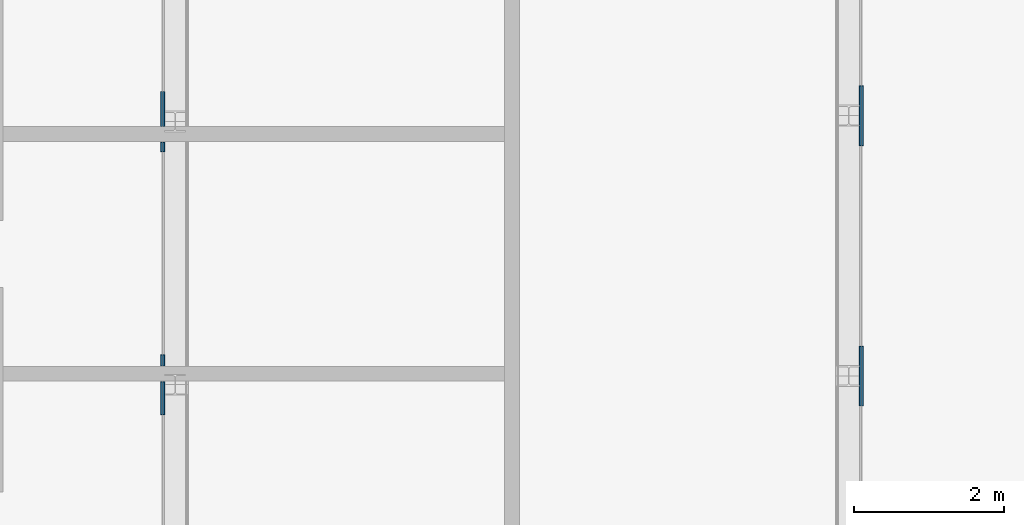
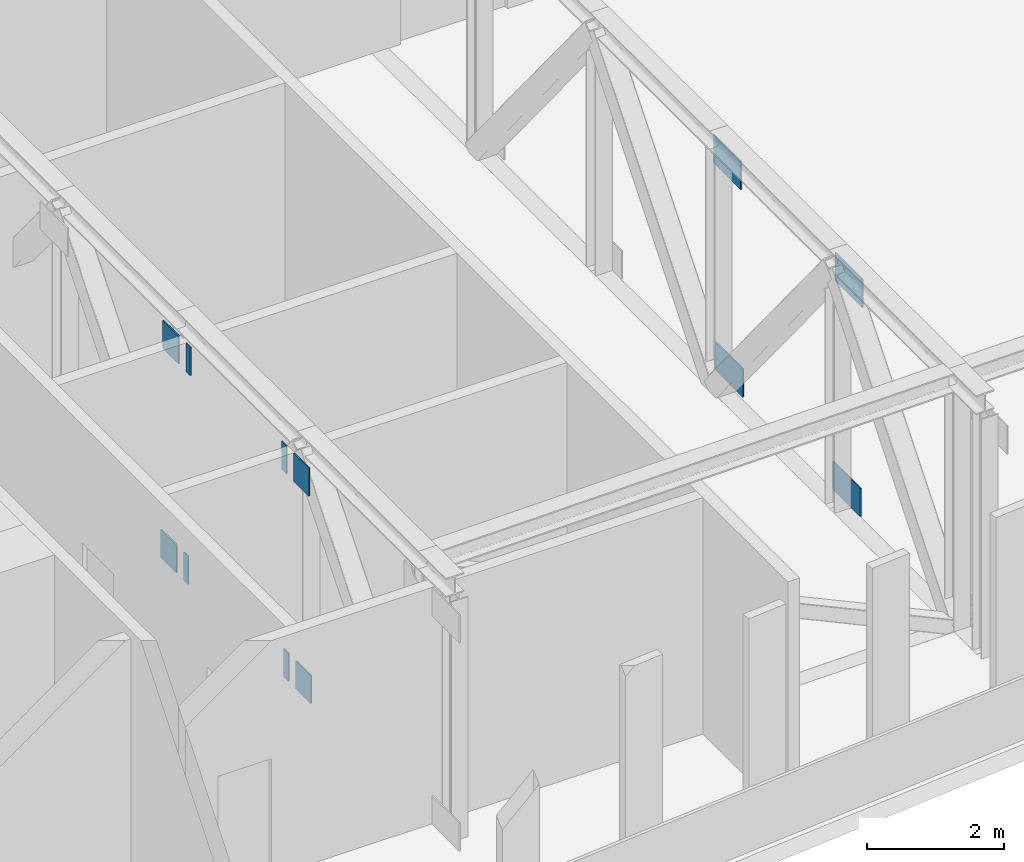
# One storey, part 13 of 26: 12 discrete accessories.
"""IFC4 building model written with IfcOpenShell, lengths in metres."""

import ifcopenshell
import ifcopenshell.guid

model = None  # the IFC model being written
_history = None  # IfcOwnerHistory: only IFC2X3 demands one
_inside = {}  # id of a spatial element -> (the spatial element, [elements in it])
_under = {}  # id of a project, library or spatial element -> (it, [spatial elements below it])
_declared = {}  # id of a project -> (the project, [libraries it declares])
_typed = {}  # id of a type object -> (the type object, [elements of that type])
_made_of = {}  # id of a material, layer set ... -> (it, [elements and type objects made of it])


def new_model(schema):
    """Start an empty IFC model of exactly this schema.

    Asked for "IFC4X3", IfcOpenShell would pick the latest addendum, in which some entities
    have other attributes; the version numbers below select the first issue.
    IFC2X3 requires an IfcOwnerHistory on every rooted entity: one is made here for all.
    """
    global model, _history
    if schema == "IFC4X3":
        model = ifcopenshell.file(schema_version=(4, 3, 0, 0))
    else:
        model = ifcopenshell.file(schema=schema)
    _inside.clear()
    _under.clear()
    _declared.clear()
    _typed.clear()
    _made_of.clear()
    _history = None
    if model.schema == "IFC2X3":
        org = make("IfcOrganization", Name="unknown")
        user = make(
            "IfcPersonAndOrganization",
            ThePerson=make("IfcPerson", FamilyName="unknown"),
            TheOrganization=org,
        )
        app = make(
            "IfcApplication",
            ApplicationDeveloper=org,
            Version="unknown",
            ApplicationFullName="unknown",
            ApplicationIdentifier="unknown",
        )
        _history = make(
            "IfcOwnerHistory",
            OwningUser=user,
            OwningApplication=app,
            ChangeAction="ADDED",
            CreationDate=0,
        )
    return model


def make(cls, **values):
    """One entity of the class cls with the attributes given. An attribute that is None is left unset."""
    return model.create_entity(
        cls, **{name: value for name, value in values.items() if value is not None}
    )


def rooted(cls, **values):
    """An entity with a GlobalId (a new one), such as an element, a storey or a relation."""
    return make(cls, GlobalId=ifcopenshell.guid.new(), OwnerHistory=_history, **values)


def si_unit(unit_type, name, prefix=None):
    """IfcSIUnit, for example si_unit("LENGTHUNIT", "METRE", prefix="MILLI")."""
    return make("IfcSIUnit", UnitType=unit_type, Prefix=prefix, Name=name)


def assignment(units):
    """IfcUnitAssignment: the units of a project."""
    return None if units is None else make("IfcUnitAssignment", Units=units)


def point(xyz):
    """IfcCartesianPoint."""
    return None if xyz is None else make("IfcCartesianPoint", Coordinates=xyz)


def direction(xyz):
    """IfcDirection."""
    return None if xyz is None else make("IfcDirection", DirectionRatios=xyz)


def frame(location, z_axis=None, x_axis=None):
    """IfcAxis2Placement3D, a coordinate frame: its origin and axes. An axis left out is left unset."""
    return make(
        "IfcAxis2Placement3D",
        Location=point(location),
        Axis=direction(z_axis),
        RefDirection=direction(x_axis),
    )


def origin():
    """The frame at (0, 0, 0) with its axes left unset."""
    return frame((0.0, 0.0, 0.0))


def place(relative_to, where):
    """IfcLocalPlacement: puts the frame where relative to a parent placement (None: the world)."""
    return make(
        "IfcLocalPlacement", PlacementRelTo=relative_to, RelativePlacement=where
    )


def context(
    kind, dimensions, precision=None, world=None, true_north=None, identifier=None
):
    """IfcGeometricRepresentationContext, for example the 3D "Model" context."""
    return make(
        "IfcGeometricRepresentationContext",
        ContextIdentifier=identifier,
        ContextType=kind,
        CoordinateSpaceDimension=dimensions,
        Precision=precision,
        WorldCoordinateSystem=world,
        TrueNorth=true_north,
    )


def subcontext(parent, identifier, kind, view, scale=None):
    """IfcGeometricRepresentationSubContext, for example "Body" below "Model"."""
    return make(
        "IfcGeometricRepresentationSubContext",
        ContextIdentifier=identifier,
        ContextType=kind,
        ParentContext=parent,
        TargetScale=scale,
        TargetView=view,
    )


def project(units=None, contexts=None):
    """IfcProject with its units and contexts."""
    return rooted(
        "IfcProject",
        Name="project",
        RepresentationContexts=contexts,
        UnitsInContext=assignment(units),
    )


def spatial(cls, under=None, at=None, **own):
    """A site, building, storey or space (cls), placed at a placement, below another one or the project."""
    s = rooted(cls, ObjectPlacement=at, **own)
    if under is not None:
        _under.setdefault(under.id(), (under, []))[1].append(s)
    return s


def polyline(points):
    """IfcPolyline through the points."""
    return make("IfcPolyline", Points=[point(p) for p in points])


def outline(outer, holes=None, kind="AREA"):
    """IfcArbitraryClosedProfileDef: a profile drawn as a closed curve; with holes, ...WithVoids."""
    if holes is None:
        return make("IfcArbitraryClosedProfileDef", ProfileType=kind, OuterCurve=outer)
    return make(
        "IfcArbitraryProfileDefWithVoids",
        ProfileType=kind,
        OuterCurve=outer,
        InnerCurves=holes,
    )


def extrude(swept, where, along, depth):
    """IfcExtrudedAreaSolid: the profile swept, set in the frame where, extruded along a direction by depth."""
    return make(
        "IfcExtrudedAreaSolid",
        SweptArea=swept,
        Position=where,
        ExtrudedDirection=direction(along),
        Depth=depth,
    )


def shape(context_of_items, identifier, shape_type, items):
    """IfcShapeRepresentation: the items that make up one representation, for example the "Body"."""
    return make(
        "IfcShapeRepresentation",
        ContextOfItems=context_of_items,
        RepresentationIdentifier=identifier,
        RepresentationType=shape_type,
        Items=items,
    )


def material(Name=None, Category=None):
    """IfcMaterial."""
    return make("IfcMaterial", Name=Name, Category=Category)


def layer(
    of_material, thickness, ventilated=None, Name=None, Category=None, Priority=None
):
    """IfcMaterialLayer: one layer of a wall or slab, of a material (None: an air gap)."""
    return make(
        "IfcMaterialLayer",
        Material=of_material,
        LayerThickness=thickness,
        IsVentilated=ventilated,
        Name=Name,
        Category=Category,
        Priority=Priority,
    )


def layer_set(layers, Name=None):
    """IfcMaterialLayerSet."""
    return make("IfcMaterialLayerSet", MaterialLayers=layers, LayerSetName=Name)


def made_of(thing, what):
    """Note that an element or type object is made of a material, layer set ...; save() writes the relation."""
    if what is not None:
        _made_of.setdefault(what.id(), (what, []))[1].append(thing)
    return thing


def type_object(cls, material=None, **own):
    """A type object (cls), such as IfcWallType, which elements share."""
    return made_of(rooted(cls, **own), material)


def element(
    cls,
    number,
    at=None,
    inside=None,
    cuts=None,
    type_object=None,
    material=None,
    context=None,
    identifier="Body",
    shape_type=None,
    held_by="IfcProductDefinitionShape",
    body=None,
    shapes=None,
    **own,
):
    """One element of the class cls, such as IfcWall. Its Tag is "e" and its number.

    at: its placement. inside: the storey or other place that contains it. cuts: it is an
    opening in that element (IfcRelVoidsElement). A single representation is given by context,
    identifier, shape_type and body (its items); several are given by shapes. held_by: the class
    of the entity that holds the representations. save() writes the other relations.
    """
    e = rooted(cls, Tag="e%d" % number, ObjectPlacement=at, **own)
    if body is not None:
        shapes = [shape(context, identifier, shape_type, body)]
    if shapes is not None:
        e.Representation = make(held_by, Representations=shapes)
    if inside is not None:
        _inside.setdefault(inside.id(), (inside, []))[1].append(e)
    if cuts is not None:
        rooted(
            "IfcRelVoidsElement", RelatingBuildingElement=cuts, RelatedOpeningElement=e
        )
    if type_object is not None:
        _typed.setdefault(type_object.id(), (type_object, []))[1].append(e)
    return made_of(e, material)


def aggregate(whole, parts):
    """IfcRelAggregates: a whole, such as a stair, and the parts it consists of."""
    return rooted("IfcRelAggregates", RelatingObject=whole, RelatedObjects=parts)


def save(model, path):
    """Write the relations noted so far, then the file.

    IfcRelAggregates (storeys below a building ...), IfcRelContainedInSpatialStructure (elements
    in a storey), IfcRelDefinesByType, IfcRelAssociatesMaterial and IfcRelDeclares: one each for
    every whole, place, type object, material and project.
    """
    for whole, parts in _under.values():
        aggregate(whole, parts)
    for where, things in _inside.values():
        rooted(
            "IfcRelContainedInSpatialStructure",
            RelatedElements=things,
            RelatingStructure=where,
        )
    for kind, things in _typed.values():
        rooted("IfcRelDefinesByType", RelatedObjects=things, RelatingType=kind)
    for what, things in _made_of.values():
        rooted("IfcRelAssociatesMaterial", RelatedObjects=things, RelatingMaterial=what)
    for by, libraries in _declared.values():
        rooted("IfcRelDeclares", RelatingContext=by, RelatedDefinitions=libraries)
    model.write(path)


model = new_model("IFC4")

# Units and contexts
model_context = context("Model", 3, precision=1e-05, world=origin(), true_north=direction((0.0, 1.0)))
body_context = subcontext(model_context, "Body", "Model", "MODEL_VIEW")
ifc_project = project(units=[si_unit("LENGTHUNIT", "METRE"), si_unit("AREAUNIT", "SQUARE_METRE"), si_unit("VOLUMEUNIT", "CUBIC_METRE"), si_unit("PLANEANGLEUNIT", "RADIAN"), si_unit("MASSUNIT", "GRAM", prefix="KILO")], contexts=[model_context])

# Site, building, storey
site_placement = place(None, origin())
site = spatial("IfcSite", under=ifc_project, at=site_placement, CompositionType="ELEMENT")
building_placement = place(site_placement, origin())
building = spatial("IfcBuilding", under=site, at=building_placement, Name="Kajstack Hotel Tower", CompositionType="ELEMENT")
storey_placement = place(building_placement, frame((0.0, 0.0, 206.5)))
storey = spatial("IfcBuildingStorey", under=building, at=storey_placement, Name="L50", CompositionType="ELEMENT", Elevation=206.5)

# Discrete accessories
ifc_material = material(Name="Steel S355J2", Category="steel")
ifc_layer = layer(ifc_material, 0.02001953125)
ifc_layer_set = layer_set([ifc_layer], Name="GUSSET PLATE")
discrete_accessory_type = type_object("IfcDiscreteAccessoryType", Name="GUSSET PLATE", PredefinedType="BRACKET", material=ifc_layer_set)
discrete_accessory_1_placement = place(storey_placement, frame((-9.159912109375, -15.046875, 0.0), z_axis=(1.0, 0.0, 0.0), x_axis=(0.0, 1.0, 0.0)))
element("IfcDiscreteAccessory", 1, at=discrete_accessory_1_placement, inside=storey, type_object=discrete_accessory_type, Name="Gusset plate L50-501", PredefinedType="BRACKET", context=body_context, shape_type="SweptSolid", body=[
    extrude(outline(polyline([(0.39990234375, 0.5), (0.251953125, 0.5), (0.251953125, 0.0), (0.39990234375, 0.0), (0.39990234375, 0.5)])), origin(), (0.0, 0.0, 1.0), 0.02001953125),
])
discrete_accessory_2_placement = place(storey_placement, frame((-9.159912109375, -15.046875, 0.0), z_axis=(1.0, 0.0, 0.0), x_axis=(0.0, 1.0, 0.0)))
element("IfcDiscreteAccessory", 2, at=discrete_accessory_2_placement, inside=storey, type_object=discrete_accessory_type, Name="Gusset plate L50-502", PredefinedType="BRACKET", context=body_context, shape_type="SweptSolid", body=[
    extrude(outline(polyline([(-0.39990234375, 0.0), (0.0419921875, 0.0), (0.0419921875, 0.5), (-0.39990234375, 0.5), (-0.39990234375, 0.0)])), origin(), (0.0, 0.0, 1.0), 0.02001953125),
])
discrete_accessory_3_placement = place(storey_placement, frame((-9.195068359375, -15.046875, 3.699951171875), z_axis=(1.0, 0.0, 0.0), x_axis=(0.0, 1.0, 0.0)))
element("IfcDiscreteAccessory", 3, at=discrete_accessory_3_placement, inside=storey, type_object=discrete_accessory_type, Name="Gusset plate L50-503", PredefinedType="BRACKET", context=body_context, shape_type="SweptSolid", body=[
    extrude(outline(polyline([(0.39990234375, 0.5), (0.251953125, 0.5), (0.251953125, 0.0), (0.39990234375, 0.0), (0.39990234375, 0.5)])), origin(), (0.0, 0.0, 1.0), 0.02001953125),
])
discrete_accessory_4_placement = place(storey_placement, frame((-9.195068359375, -15.046875, 3.699951171875), z_axis=(1.0, 0.0, 0.0), x_axis=(0.0, 1.0, 0.0)))
element("IfcDiscreteAccessory", 4, at=discrete_accessory_4_placement, inside=storey, type_object=discrete_accessory_type, Name="Gusset plate L50-504", PredefinedType="BRACKET", context=body_context, shape_type="SweptSolid", body=[
    extrude(outline(polyline([(-0.39990234375, 0.0), (0.0419921875, 0.0), (0.0419921875, 0.5), (-0.39990234375, 0.5), (-0.39990234375, 0.0)])), origin(), (0.0, 0.0, 1.0), 0.02001953125),
])
discrete_accessory_5_placement = place(storey_placement, frame((-9.195068359375, -11.53125, 0.0), z_axis=(1.0, 0.0, 0.0), x_axis=(0.0, 1.0, 0.0)))
element("IfcDiscreteAccessory", 5, at=discrete_accessory_5_placement, inside=storey, type_object=discrete_accessory_type, Name="Gusset plate L50-505", PredefinedType="BRACKET", context=body_context, shape_type="SweptSolid", body=[
    extrude(outline(polyline([(0.39990234375, 0.5), (-0.063720703125, 0.5), (-0.063720703125, 0.0), (0.39990234375, 0.0), (0.39990234375, 0.5)])), origin(), (0.0, 0.0, 1.0), 0.02001953125),
])
discrete_accessory_6_placement = place(storey_placement, frame((-9.195068359375, -11.53125, 0.0), z_axis=(1.0, 0.0, 0.0), x_axis=(0.0, 1.0, 0.0)))
element("IfcDiscreteAccessory", 6, at=discrete_accessory_6_placement, inside=storey, type_object=discrete_accessory_type, Name="Gusset plate L50-506", PredefinedType="BRACKET", context=body_context, shape_type="SweptSolid", body=[
    extrude(outline(polyline([(-0.39990234375, 0.0), (-0.273681640625, 0.0), (-0.273681640625, 0.5), (-0.39990234375, 0.5), (-0.39990234375, 0.0)])), origin(), (0.0, 0.0, 1.0), 0.02001953125),
])
discrete_accessory_7_placement = place(storey_placement, frame((-9.159912109375, -11.53125, 3.699951171875), z_axis=(1.0, 0.0, 0.0), x_axis=(0.0, 1.0, 0.0)))
element("IfcDiscreteAccessory", 7, at=discrete_accessory_7_placement, inside=storey, type_object=discrete_accessory_type, Name="Gusset plate L50-507", PredefinedType="BRACKET", context=body_context, shape_type="SweptSolid", body=[
    extrude(outline(polyline([(0.39990234375, 0.5), (-0.063720703125, 0.5), (-0.063720703125, 0.0), (0.39990234375, 0.0), (0.39990234375, 0.5)])), origin(), (0.0, 0.0, 1.0), 0.02001953125),
])
discrete_accessory_8_placement = place(storey_placement, frame((-9.159912109375, -11.53125, 3.699951171875), z_axis=(1.0, 0.0, 0.0), x_axis=(0.0, 1.0, 0.0)))
element("IfcDiscreteAccessory", 8, at=discrete_accessory_8_placement, inside=storey, type_object=discrete_accessory_type, Name="Gusset plate L50-508", PredefinedType="BRACKET", context=body_context, shape_type="SweptSolid", body=[
    extrude(outline(polyline([(-0.39990234375, 0.0), (-0.273681640625, 0.0), (-0.273681640625, 0.5), (-0.39990234375, 0.5), (-0.39990234375, 0.0)])), origin(), (0.0, 0.0, 1.0), 0.02001953125),
])
for number, where, z_axis, x_axis, name in (
    (9, (0.139892578125, -14.92919921875, 0.0), (1.0, 0.0, 0.0), (0.0, 1.0, 0.0), "Gusset plate L50-530"),
    (10, (0.175048828125, -14.92919921875, 3.699951171875), (1.0, 0.0, 0.0), (0.0, 1.0, 0.0), "Gusset plate L50-531"),
    (11, (0.175048828125, -11.45263671875, 0.0), (1.0, 0.0, 0.0), (0.0, 1.0, 0.0), "Gusset plate L50-532"),
    (12, (0.139892578125, -11.45263671875, 3.699951171875), (1.0, 0.0, 0.0), (0.0, 1.0, 0.0), "Gusset plate L50-533"),
):
    element("IfcDiscreteAccessory", number, at=place(storey_placement, frame(where, z_axis=z_axis, x_axis=x_axis)), inside=storey, type_object=discrete_accessory_type, Name=name, PredefinedType="BRACKET", context=body_context, shape_type="SweptSolid", body=[
        extrude(outline(polyline([(-0.39990234375, 0.0), (0.39990234375, 0.0), (0.39990234375, 0.5), (-0.39990234375, 0.5), (-0.39990234375, 0.0)])), origin(), (0.0, 0.0, 1.0), 0.02001953125),
    ])

save(model, "model.ifc")
